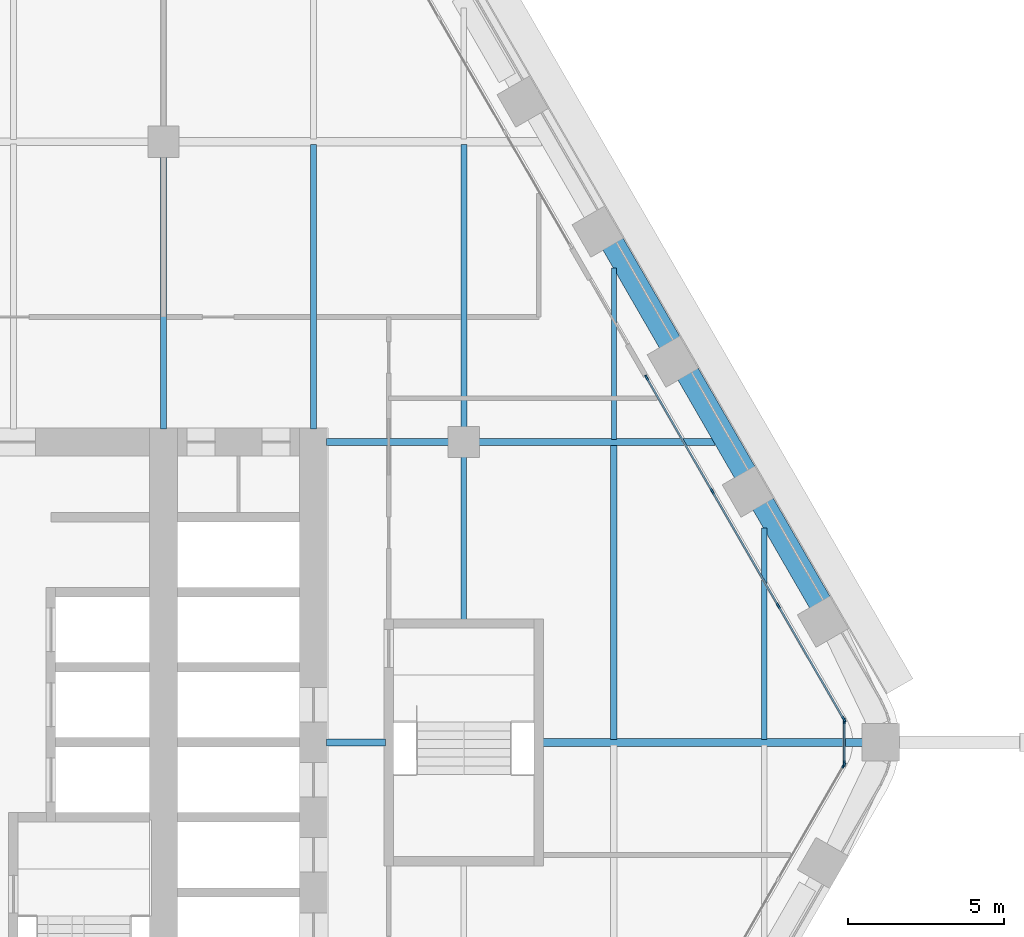
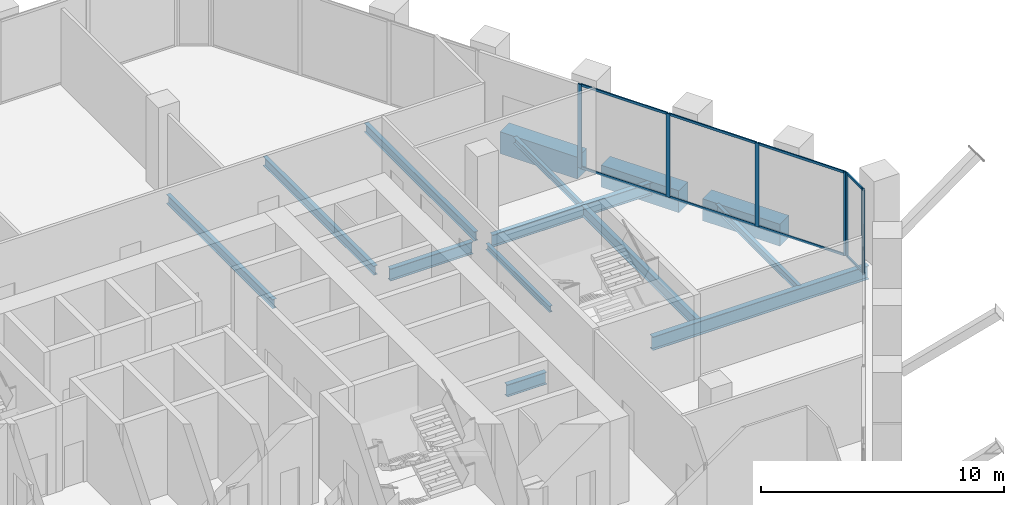
# One storey, part 9 of 24: 15 members, 14 beams, 3 elements without a shape of their own.
"""IFC4 building model written with IfcOpenShell, lengths in metres."""

from ifc_helpers import new_model, si_unit, direction, frame, origin, origin_2d, place, context, subcontext, project, spatial, rectangle, i_section, extrude, material, material_profile, profile_set, type_object, element, aggregate, save


model = new_model("IFC4")

# Units and contexts
model_context = context("Model", 3, precision=1e-05, world=origin(), true_north=direction((0.0, 1.0)))
body_context = subcontext(model_context, "Body", "Model", "MODEL_VIEW")
ifc_project = project(units=[si_unit("LENGTHUNIT", "METRE"), si_unit("AREAUNIT", "SQUARE_METRE"), si_unit("VOLUMEUNIT", "CUBIC_METRE"), si_unit("PLANEANGLEUNIT", "RADIAN"), si_unit("MASSUNIT", "GRAM", prefix="KILO")], contexts=[model_context])

# Site, building, storey
site_placement = place(None, origin())
site = spatial("IfcSite", under=ifc_project, at=site_placement, CompositionType="ELEMENT")
building_placement = place(site_placement, origin())
building = spatial("IfcBuilding", under=site, at=building_placement, Name="Kolab Exchange Tower", CompositionType="ELEMENT")
storey_placement = place(building_placement, frame((0.0, 0.0, 86.89990234375)))
storey = spatial("IfcBuildingStorey", under=building, at=storey_placement, Name="L16", CompositionType="ELEMENT", Elevation=86.89990234375)

# Beams
ifc_material_1 = material(Name="Steel S355", Category="steel")
ifc_material_profile_1 = material_profile(ifc_material_1, i_section(OverallWidth=0.1650390625, OverallDepth=0.31005859375, WebThickness=0.005859375, FlangeThickness=0.009765625, at=origin_2d()), Name="W310X39")
ifc_profile_set_1 = profile_set([ifc_material_profile_1], Name="Steel S355")
beam_type_1 = type_object("IfcBeamType", Name="FLOOR BEAM W310X39", PredefinedType="BEAM", material=ifc_profile_set_1)
beam_1_placement = place(storey_placement, frame((19.199951171875, 3.909912109375, -0.35498046875), z_axis=(0.0, 1.0, 0.0), x_axis=(-1.0, 0.0, 0.0)))
element("IfcBeam", 1, at=beam_1_placement, inside=storey, type_object=beam_type_1, Name="beam/L16/fr/043", PredefinedType="BEAM", context=body_context, shape_type="SweptSolid", body=[
    extrude(i_section(OverallWidth=0.1650390625, OverallDepth=0.31005859375, WebThickness=0.005859375, FlangeThickness=0.009765625, at=origin_2d()), origin(), (0.0, 0.0, 1.0), 5.22998046875),
])
beam_2_placement = place(storey_placement, frame((24.0, 9.674072265625, -0.35498046875), z_axis=(0.0, 1.0, 0.0), x_axis=(-1.0, 0.0, 0.0)))
element("IfcBeam", 2, at=beam_2_placement, inside=storey, type_object=beam_type_1, Name="beam/L16/fr/049", PredefinedType="BEAM", context=body_context, shape_type="SweptSolid", body=[
    extrude(i_section(OverallWidth=0.1650390625, OverallDepth=0.31005859375, WebThickness=0.005859375, FlangeThickness=0.009765625, at=origin_2d()), origin(), (0.0, 0.0, 1.0), 5.49365234375),
])
ifc_material_profile_2 = material_profile(ifc_material_1, i_section(OverallWidth=0.1708984375, OverallDepth=0.35498046875, WebThickness=0.007080078125, FlangeThickness=0.01171875, at=origin_2d()), Name="W360X51")
ifc_profile_set_2 = profile_set([ifc_material_profile_2], Name="Steel S355")
beam_type_2 = type_object("IfcBeamType", Name="FLOOR BEAM W360X51", PredefinedType="BEAM", material=ifc_profile_set_2)
beam_3_placement = place(storey_placement, frame((28.800048828125, 0.0869140625, -0.37744140625), z_axis=(0.0, 1.0, 0.0), x_axis=(-1.0, 0.0, 0.0)))
element("IfcBeam", 3, at=beam_3_placement, inside=storey, type_object=beam_type_2, Name="beam/L16/fr/051", PredefinedType="BEAM", context=body_context, shape_type="SweptSolid", body=[
    extrude(i_section(OverallWidth=0.1708984375, OverallDepth=0.35498046875, WebThickness=0.007080078125, FlangeThickness=0.01171875, at=origin_2d()), origin(), (0.0, 0.0, 1.0), 6.766845703125),
])
ifc_material_profile_3 = material_profile(ifc_material_1, i_section(OverallWidth=0.18994140625, OverallDepth=0.45703125, WebThickness=0.009033203125, FlangeThickness=0.014404296875, at=origin_2d()), Name="W460X74")
ifc_profile_set_3 = profile_set([ifc_material_profile_3], Name="Steel S355")
beam_type_3 = type_object("IfcBeamType", Name="FLOOR BEAM W460X74", PredefinedType="BEAM", material=ifc_profile_set_3)
beam_4_placement = place(storey_placement, frame((9.60009765625, 10.010009765625, -0.428466796875), z_axis=(0.0, 1.0, 0.0), x_axis=(-1.0, 0.0, 0.0)))
element("IfcBeam", 4, at=beam_4_placement, inside=storey, type_object=beam_type_3, Name="beam/L16/fr/034", PredefinedType="BEAM", context=body_context, shape_type="SweptSolid", body=[
    extrude(i_section(OverallWidth=0.18994140625, OverallDepth=0.45703125, WebThickness=0.009033203125, FlangeThickness=0.014404296875, at=origin_2d()), origin(), (0.0, 0.0, 1.0), 8.72998046875),
])
beam_5_placement = place(storey_placement, frame((14.39990234375, 10.010009765625, -0.428466796875), z_axis=(0.0, 1.0, 0.0), x_axis=(-1.0, 0.0, 0.0)))
element("IfcBeam", 5, at=beam_5_placement, inside=storey, type_object=beam_type_3, Name="beam/L16/fr/038", PredefinedType="BEAM", context=body_context, shape_type="SweptSolid", body=[
    extrude(i_section(OverallWidth=0.18994140625, OverallDepth=0.45703125, WebThickness=0.009033203125, FlangeThickness=0.014404296875, at=origin_2d()), origin(), (0.0, 0.0, 1.0), 9.096435546875),
])
beam_6_placement = place(storey_placement, frame((19.199951171875, 10.06005859375, -0.428466796875), z_axis=(0.0, 1.0, 0.0), x_axis=(-1.0, 0.0, 0.0)))
element("IfcBeam", 6, at=beam_6_placement, inside=storey, type_object=beam_type_3, Name="beam/L16/fr/044", PredefinedType="BEAM", context=body_context, shape_type="SweptSolid", body=[
    extrude(i_section(OverallWidth=0.18994140625, OverallDepth=0.45703125, WebThickness=0.009033203125, FlangeThickness=0.014404296875, at=origin_2d()), origin(), (0.0, 0.0, 1.0), 9.04638671875),
])
ifc_material_profile_4 = material_profile(ifc_material_1, i_section(OverallWidth=0.208984375, OverallDepth=0.532958984375, WebThickness=0.01025390625, FlangeThickness=0.015625, at=origin_2d()), Name="W530X92")
ifc_profile_set_4 = profile_set([ifc_material_profile_4], Name="Steel S355")
beam_type_4 = type_object("IfcBeamType", Name="FLOOR BEAM W530X92", PredefinedType="BEAM", material=ifc_profile_set_4)
beam_7_placement = place(storey_placement, frame((24.0, 0.0869140625, -0.46630859375), z_axis=(0.0, 1.0, 0.0), x_axis=(-1.0, 0.0, 0.0)))
element("IfcBeam", 7, at=beam_7_placement, inside=storey, type_object=beam_type_4, Name="beam/L16/fr/048", PredefinedType="BEAM", context=body_context, shape_type="SweptSolid", body=[
    extrude(i_section(OverallWidth=0.208984375, OverallDepth=0.532958984375, WebThickness=0.01025390625, FlangeThickness=0.015625, at=origin_2d()), origin(), (0.0, 0.0, 1.0), 9.43896484375),
])
ifc_material_profile_5 = material_profile(ifc_material_1, i_section(OverallWidth=0.22802734375, OverallDepth=0.60791015625, WebThickness=0.01123046875, FlangeThickness=0.017333984375, at=origin_2d()), Name="W610X113")
ifc_profile_set_5 = profile_set([ifc_material_profile_5], Name="Steel S355")
beam_type_5 = type_object("IfcBeamType", Name="FLOOR GIRDER W610X113", PredefinedType="BEAM", material=ifc_profile_set_5)
beam_8_placement = place(storey_placement, frame((14.81005859375, 0.0, -0.50390625), z_axis=(1.0, 0.0, 0.0), x_axis=(0.0, 1.0, 0.0)))
element("IfcBeam", 8, at=beam_8_placement, inside=storey, type_object=beam_type_5, Name="beam/L16/gd/015", PredefinedType="BEAM", context=body_context, shape_type="SweptSolid", body=[
    extrude(i_section(OverallWidth=0.22802734375, OverallDepth=0.60791015625, WebThickness=0.01123046875, FlangeThickness=0.017333984375, at=origin_2d()), origin(), (0.0, 0.0, 1.0), 1.8798828125),
])
beam_9_placement = place(storey_placement, frame((14.81005859375, 9.60009765625, -0.50390625), z_axis=(1.0, 0.0, 0.0), x_axis=(0.0, 1.0, 0.0)))
element("IfcBeam", 9, at=beam_9_placement, inside=storey, type_object=beam_type_5, Name="beam/L16/gd/016", PredefinedType="BEAM", context=body_context, shape_type="SweptSolid", body=[
    extrude(i_section(OverallWidth=0.22802734375, OverallDepth=0.60791015625, WebThickness=0.01123046875, FlangeThickness=0.017333984375, at=origin_2d()), origin(), (0.0, 0.0, 1.0), 3.929931640625),
])
beam_10_placement = place(storey_placement, frame((19.659912109375, 9.60009765625, -0.50390625), z_axis=(1.0, 0.0, 0.0), x_axis=(0.0, 1.0, 0.0)))
element("IfcBeam", 10, at=beam_10_placement, inside=storey, type_object=beam_type_5, Name="beam/L16/gd/018", PredefinedType="BEAM", context=body_context, shape_type="SweptSolid", body=[
    extrude(i_section(OverallWidth=0.22802734375, OverallDepth=0.60791015625, WebThickness=0.01123046875, FlangeThickness=0.017333984375, at=origin_2d()), origin(), (0.0, 0.0, 1.0), 7.571533203125),
])
ifc_material_profile_6 = material_profile(ifc_material_1, i_section(OverallWidth=0.25390625, OverallDepth=0.68408203125, WebThickness=0.012451171875, FlangeThickness=0.018798828125, at=origin_2d()), Name="W690X140")
ifc_profile_set_6 = profile_set([ifc_material_profile_6], Name="Steel S355")
beam_type_6 = type_object("IfcBeamType", Name="FLOOR GIRDER W690X140", PredefinedType="BEAM", material=ifc_profile_set_6)
beam_11_placement = place(storey_placement, frame((21.7099609375, 0.0, -0.5419921875), z_axis=(1.0, 0.0, 0.0), x_axis=(0.0, 1.0, 0.0)))
element("IfcBeam", 11, at=beam_11_placement, inside=storey, type_object=beam_type_6, Name="beam/L16/gd/019", PredefinedType="BEAM", context=body_context, shape_type="SweptSolid", body=[
    extrude(i_section(OverallWidth=0.25390625, OverallDepth=0.68408203125, WebThickness=0.012451171875, FlangeThickness=0.018798828125, at=origin_2d()), origin(), (0.0, 0.0, 1.0), 10.265869140625),
])
ifc_material_2 = material(Name="Concrete C70/85", Category="concrete")
ifc_material_profile_7 = material_profile(ifc_material_2, rectangle(XDim=0.75, YDim=1.10009765625, at=origin_2d()), Name="RC750X1100")
ifc_profile_set_7 = profile_set([ifc_material_profile_7], Name="Concrete C70/85")
beam_type_7 = type_object("IfcBeamType", Name="SPANDREL BEAM 750X1100 C70/85", PredefinedType="BEAM", material=ifc_profile_set_7)
beam_12_placement = place(storey_placement, frame((23.955322265625, 15.955322265625, -0.75), z_axis=(0.499963655964, -0.866046386007, 0.0), x_axis=(0.866046386007, 0.499963655964, 0.0)))
element("IfcBeam", 12, at=beam_12_placement, inside=storey, type_object=beam_type_7, Name="beam/L16/sp/F2-04", PredefinedType="BEAM", context=body_context, shape_type="SweptSolid", body=[
    extrude(rectangle(XDim=0.75, YDim=1.10009765625, at=origin_2d()), origin(), (0.0, 0.0, 1.0), 3.679931640625),
])
for number, where, z_axis, x_axis, name in (
    (13, (26.355224609375, 11.79833984375, -0.75), (0.500013413428, -0.866017659399, 0.0), (0.866017659399, 0.500013413428, 0.0), "beam/L16/sp/F2-05"),
    (14, (28.755126953125, 7.641357421875, -0.75), (0.500013413428, -0.866017659399, 0.0), (0.866017659399, 0.500013413428, 0.0), "beam/L16/sp/F2-06"),
):
    element("IfcBeam", number, at=place(storey_placement, frame(where, z_axis=z_axis, x_axis=x_axis)), inside=storey, type_object=beam_type_7, Name=name, PredefinedType="BEAM", context=body_context, shape_type="SweptSolid", body=[
        extrude(rectangle(XDim=0.75, YDim=1.10009765625, at=origin_2d()), origin(), (0.0, 0.0, 1.0), 3.68017578125),
    ])

# Curtain wall, members
ifc_material_3 = material(Name="Aluminium EN AW-6063 T6", Category="aluminium")
curtain_wall_type = type_object("IfcCurtainWallType", Name="UNITISED LOWER MID ZONE CURTAIN WALL", PredefinedType="NOTDEFINED", material=ifc_material_3)
curtain_wall_1_placement = place(storey_placement, origin())
curtain_wall_1 = element("IfcCurtainWall", 15, at=curtain_wall_1_placement, inside=storey, type_object=curtain_wall_type, Name="cw/L16/F2-2", PredefinedType="NOTDEFINED")
ifc_material_profile_8 = material_profile(ifc_material_3, rectangle(XDim=0.06005859375, YDim=0.179931640625, at=origin_2d()), Name="RECT 60X180")
ifc_profile_set_8 = profile_set([ifc_material_profile_8], Name="Aluminium EN AW-6063 T6")
member_type_1 = type_object("IfcMemberType", Name="UNITISED LOWER MID ZONE MULLION 60 X 180", PredefinedType="MULLION", material=ifc_profile_set_8)
member_1_placement = place(storey_placement, frame((25.046630859375, 11.65478515625, 0.0), z_axis=(0.0, 0.0, 1.0), x_axis=(0.866025427826, 0.499999958358, 0.0)))
member_1 = element("IfcMember", 16, at=member_1_placement, type_object=member_type_1, Name="CW2 mullion 1", PredefinedType="MULLION", context=body_context, shape_type="SweptSolid", body=[
    extrude(rectangle(XDim=0.06005859375, YDim=0.179931640625, at=origin_2d()), origin(), (0.0, 0.0, 1.0), 4.2001953125),
])
member_2_placement = place(storey_placement, frame((27.14306640625, 8.02392578125, 0.0), z_axis=(0.0, 0.0, 1.0), x_axis=(0.866025427826, 0.499999958358, 0.0)))
member_2 = element("IfcMember", 17, at=member_2_placement, type_object=member_type_1, Name="CW2 mullion 2", PredefinedType="MULLION", context=body_context, shape_type="SweptSolid", body=[
    extrude(rectangle(XDim=0.06005859375, YDim=0.179931640625, at=origin_2d()), origin(), (0.0, 0.0, 1.0), 4.2001953125),
])
member_3_placement = place(storey_placement, frame((29.25439453125, 4.366943359375, 0.0), z_axis=(0.0, 0.0, 1.0), x_axis=(0.866025427826, 0.499999958358, 0.0)))
member_3 = element("IfcMember", 18, at=member_3_placement, type_object=member_type_1, Name="CW2 mullion 3", PredefinedType="MULLION", context=body_context, shape_type="SweptSolid", body=[
    extrude(rectangle(XDim=0.06005859375, YDim=0.179931640625, at=origin_2d()), origin(), (0.0, 0.0, 1.0), 4.2001953125),
])
member_4_placement = place(storey_placement, frame((31.3505859375, 0.736083984375, 0.0), z_axis=(0.0, 0.0, 1.0), x_axis=(0.866025427826, 0.499999958358, 0.0)))
member_4 = element("IfcMember", 19, at=member_4_placement, type_object=member_type_1, Name="CW2 mullion 4", PredefinedType="MULLION", context=body_context, shape_type="SweptSolid", body=[
    extrude(rectangle(XDim=0.06005859375, YDim=0.179931640625, at=origin_2d()), origin(), (0.0, 0.0, 1.0), 4.2001953125),
])

# Curtain wall, member
curtain_wall_2_placement = place(storey_placement, origin())
curtain_wall_2 = element("IfcCurtainWall", 20, at=curtain_wall_2_placement, inside=storey, type_object=curtain_wall_type, Name="cw/L16/F3-1", PredefinedType="NOTDEFINED")
member_5_placement = place(storey_placement, frame((31.3505859375, -0.736083984375, 0.0), z_axis=(0.0, 0.0, 1.0), x_axis=(0.866025427826, -0.499999958358, 0.0)))
member_5 = element("IfcMember", 21, at=member_5_placement, type_object=member_type_1, Name="CW2 mullion 1", PredefinedType="MULLION", context=body_context, shape_type="SweptSolid", body=[
    extrude(rectangle(XDim=0.06005859375, YDim=0.179931640625, at=origin_2d()), origin(), (0.0, 0.0, 1.0), 4.2001953125),
])
aggregate(curtain_wall_2, [member_5])

# Curtain wall, members
curtain_wall_3_placement = place(storey_placement, origin())
curtain_wall_3 = element("IfcCurtainWall", 22, at=curtain_wall_3_placement, inside=storey, type_object=curtain_wall_type, Name="cw/L16/F2F3-corner", PredefinedType="NOTDEFINED")
member_6_placement = place(storey_placement, frame((31.36572265625, 0.679931640625, 0.0), z_axis=(0.0, 0.0, 1.0), x_axis=(1.0, 0.0, 0.0)))
member_6 = element("IfcMember", 23, at=member_6_placement, type_object=member_type_1, Name="CW2 mullion 1", PredefinedType="MULLION", context=body_context, shape_type="SweptSolid", body=[
    extrude(rectangle(XDim=0.06005859375, YDim=0.179931640625, at=origin_2d()), origin(), (0.0, 0.0, 1.0), 4.2001953125),
])
member_7_placement = place(storey_placement, frame((31.36572265625, -0.679931640625, 0.0), z_axis=(0.0, 0.0, 1.0), x_axis=(1.0, 0.0, 0.0)))
member_7 = element("IfcMember", 24, at=member_7_placement, type_object=member_type_1, Name="CW2 mullion 2", PredefinedType="MULLION", context=body_context, shape_type="SweptSolid", body=[
    extrude(rectangle(XDim=0.06005859375, YDim=0.179931640625, at=origin_2d()), origin(), (0.0, 0.0, 1.0), 4.2001953125),
])

# Member
ifc_material_profile_9 = material_profile(ifc_material_3, rectangle(XDim=0.06005859375, YDim=0.1201171875, at=origin_2d()), Name="RECT 60X120")
ifc_profile_set_9 = profile_set([ifc_material_profile_9], Name="Aluminium EN AW-6063 T6")
member_type_2 = type_object("IfcMemberType", Name="UNITISED LOWER MID ZONE TRANSOM 60 X 120", PredefinedType="USERDEFINED", material=ifc_profile_set_9)
member_8_placement = place(storey_placement, frame((25.061767578125, 11.62890625, 0.030029296875), z_axis=(0.499957688808, -0.866049830784, 0.0), x_axis=(0.866049830784, 0.499957688808, 0.0)))
member_8 = element("IfcMember", 25, at=member_8_placement, type_object=member_type_2, Name="CW2 transom 1.1", ObjectType="TRANSOM", PredefinedType="USERDEFINED", context=body_context, shape_type="SweptSolid", body=[
    extrude(rectangle(XDim=0.06005859375, YDim=0.1201171875, at=origin_2d()), origin(), (0.0, 0.0, 1.0), 4.132568359375),
])

member_9_placement = place(storey_placement, frame((25.061767578125, 11.62890625, 4.170166015625), z_axis=(0.499957688808, -0.866049830784, 0.0), x_axis=(0.866049830784, 0.499957688808, 0.0)))
member_9 = element("IfcMember", 26, at=member_9_placement, type_object=member_type_2, Name="CW2 transom 1.2", ObjectType="TRANSOM", PredefinedType="USERDEFINED", context=body_context, shape_type="SweptSolid", body=[
    extrude(rectangle(XDim=0.06005859375, YDim=0.1201171875, at=origin_2d()), origin(), (0.0, 0.0, 1.0), 4.132568359375),
])

member_10_placement = place(storey_placement, frame((27.157958984375, 7.997802734375, 0.030029296875), z_axis=(0.49999322259, -0.866029316688, 0.0), x_axis=(0.866029316688, 0.49999322259, 0.0)))
member_10 = element("IfcMember", 27, at=member_10_placement, type_object=member_type_2, Name="CW2 transom 2.1", ObjectType="TRANSOM", PredefinedType="USERDEFINED", context=body_context, shape_type="SweptSolid", body=[
    extrude(rectangle(XDim=0.06005859375, YDim=0.1201171875, at=origin_2d()), origin(), (0.0, 0.0, 1.0), 4.16259765625),
])

member_11_placement = place(storey_placement, frame((27.157958984375, 7.997802734375, 4.170166015625), z_axis=(0.49999322259, -0.866029316688, 0.0), x_axis=(0.866029316688, 0.49999322259, 0.0)))
member_11 = element("IfcMember", 28, at=member_11_placement, type_object=member_type_2, Name="CW2 transom 2.2", ObjectType="TRANSOM", PredefinedType="USERDEFINED", context=body_context, shape_type="SweptSolid", body=[
    extrude(rectangle(XDim=0.06005859375, YDim=0.1201171875, at=origin_2d()), origin(), (0.0, 0.0, 1.0), 4.16259765625),
])

member_12_placement = place(storey_placement, frame((29.269287109375, 4.3408203125, 0.030029296875), z_axis=(0.500027577057, -0.866009481578, 0.0), x_axis=(0.866009481578, 0.500027577057, 0.0)))
member_12 = element("IfcMember", 29, at=member_12_placement, type_object=member_type_2, Name="CW2 transom 3.1", ObjectType="TRANSOM", PredefinedType="USERDEFINED", context=body_context, shape_type="SweptSolid", body=[
    extrude(rectangle(XDim=0.06005859375, YDim=0.1201171875, at=origin_2d()), origin(), (0.0, 0.0, 1.0), 4.132568359375),
])

member_13_placement = place(storey_placement, frame((29.269287109375, 4.3408203125, 4.170166015625), z_axis=(0.500027577057, -0.866009481578, 0.0), x_axis=(0.866009481578, 0.500027577057, 0.0)))
member_13 = element("IfcMember", 30, at=member_13_placement, type_object=member_type_2, Name="CW2 transom 3.2", ObjectType="TRANSOM", PredefinedType="USERDEFINED", context=body_context, shape_type="SweptSolid", body=[
    extrude(rectangle(XDim=0.06005859375, YDim=0.1201171875, at=origin_2d()), origin(), (0.0, 0.0, 1.0), 4.132568359375),
])

aggregate(curtain_wall_1, [member_1, member_2, member_3, member_4, member_8, member_9, member_10, member_11, member_12, member_13])

member_14_placement = place(storey_placement, frame((31.36572265625, 0.64990234375, 0.030029296875), z_axis=(0.0, -1.0, 0.0), x_axis=(1.0, 0.0, 0.0)))
member_14 = element("IfcMember", 31, at=member_14_placement, type_object=member_type_2, Name="CW2 transom 1.1", ObjectType="TRANSOM", PredefinedType="USERDEFINED", context=body_context, shape_type="SweptSolid", body=[
    extrude(rectangle(XDim=0.06005859375, YDim=0.1201171875, at=origin_2d()), origin(), (0.0, 0.0, 1.0), 1.2998046875),
])

member_15_placement = place(storey_placement, frame((31.36572265625, 0.64990234375, 4.170166015625), z_axis=(0.0, -1.0, 0.0), x_axis=(1.0, 0.0, 0.0)))
member_15 = element("IfcMember", 32, at=member_15_placement, type_object=member_type_2, Name="CW2 transom 1.2", ObjectType="TRANSOM", PredefinedType="USERDEFINED", context=body_context, shape_type="SweptSolid", body=[
    extrude(rectangle(XDim=0.06005859375, YDim=0.1201171875, at=origin_2d()), origin(), (0.0, 0.0, 1.0), 1.2998046875),
])

aggregate(curtain_wall_3, [member_6, member_7, member_14, member_15])

save(model, "model.ifc")
